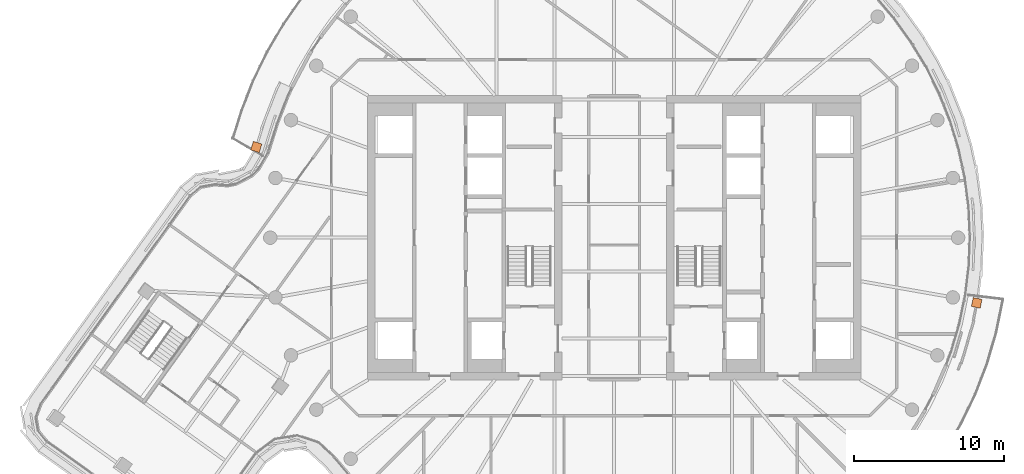
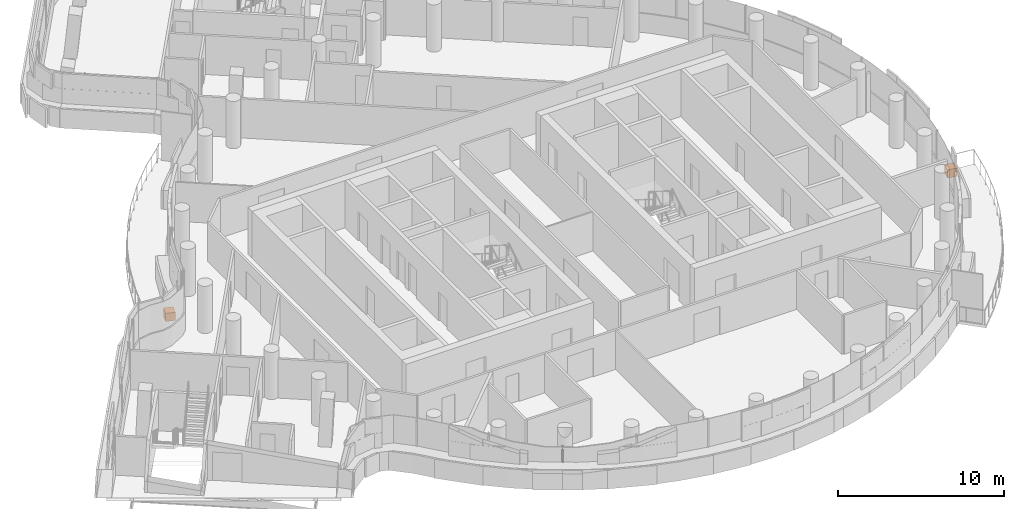
# One storey, part 27 of 27: 2 proxies.
"""IFC4 building model written with IfcOpenShell, lengths in metres."""

from ifc_helpers import new_model, si_unit, direction, frame, origin, origin_2d, place, context, subcontext, project, spatial, rectangle, extrude, material, type_object, element, save


model = new_model("IFC4")

# Units and contexts
model_context = context("Model", 3, precision=1e-05, world=origin(), true_north=direction((0.0, 1.0)))
body_context = subcontext(model_context, "Body", "Model", "MODEL_VIEW")
ifc_project = project(units=[si_unit("LENGTHUNIT", "METRE"), si_unit("AREAUNIT", "SQUARE_METRE"), si_unit("VOLUMEUNIT", "CUBIC_METRE"), si_unit("PLANEANGLEUNIT", "RADIAN"), si_unit("MASSUNIT", "GRAM", prefix="KILO")], contexts=[model_context])

# Site, building, storey
site_placement = place(None, origin())
site = spatial("IfcSite", under=ifc_project, at=site_placement, CompositionType="ELEMENT")
building_placement = place(site_placement, origin())
building = spatial("IfcBuilding", under=site, at=building_placement, Name="Tamarind Cross Interchange Tower", CompositionType="ELEMENT")
storey_placement = place(building_placement, frame((0.0, 0.0, 230.699951171875)))
storey = spatial("IfcBuildingStorey", under=building, at=storey_placement, Name="L58", CompositionType="ELEMENT", Elevation=230.699951171875)

# Proxies
ifc_material = material(Name="Concrete C30", Category="concrete")
building_element_proxy_type = type_object("IfcBuildingElementProxyType", Name="Planter", PredefinedType="USERDEFINED", material=ifc_material)
proxy_1_placement = place(storey_placement, origin())
element("IfcBuildingElementProxy", 1, at=proxy_1_placement, inside=storey, type_object=building_element_proxy_type, Name="PLT-L58-BAL02", ObjectType="Planter", PredefinedType="USERDEFINED", context=body_context, shape_type="SweptSolid", body=[
    extrude(rectangle(XDim=0.60009765625, YDim=0.60009765625, at=origin_2d()), frame((24.243896484375, -4.359375, 0.0), z_axis=(0.0, 0.0, 1.0), x_axis=(0.201001463943, 0.9795909409, 0.0)), (0.0, 0.0, 1.0), 0.60009765625),
])
proxy_2_placement = place(storey_placement, origin())
element("IfcBuildingElementProxy", 2, at=proxy_2_placement, inside=storey, type_object=building_element_proxy_type, Name="PLT-L58-BAL06", ObjectType="Planter", PredefinedType="USERDEFINED", context=body_context, shape_type="SweptSolid", body=[
    extrude(rectangle(XDim=0.60009765625, YDim=0.60009765625, at=origin_2d()), frame((-23.932373046875, 6.06787109375, 0.0), z_axis=(0.0, 0.0, 1.0), x_axis=(-0.299407311068, -0.954125391172, 0.0)), (0.0, 0.0, 1.0), 0.60009765625),
])

save(model, "model.ifc")
